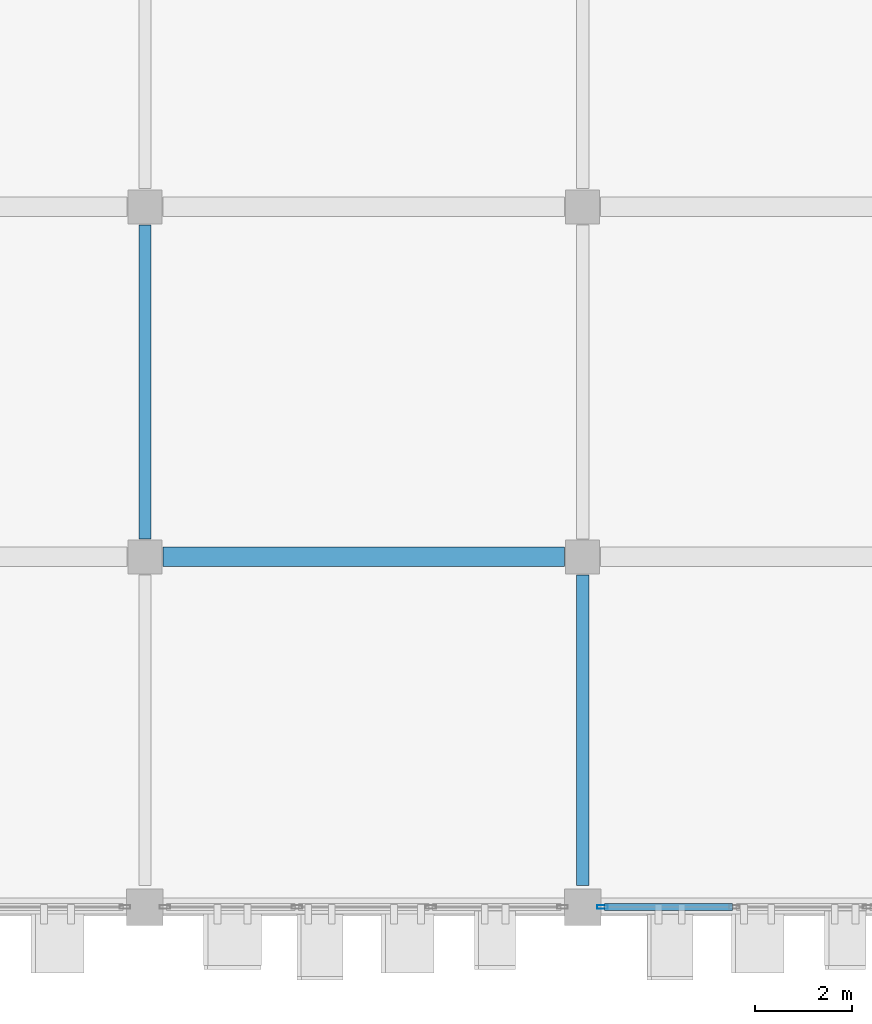
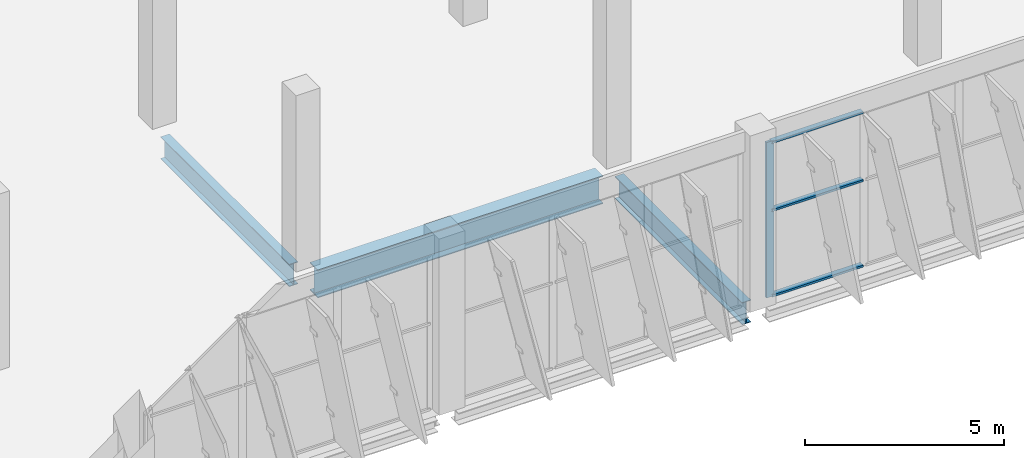
# One storey, part 51 of 189: 4 members, 3 beams, 1 element without a shape of its own.
"""IFC4 building model written with IfcOpenShell, lengths in metres."""

from ifc_helpers import new_model, si_unit, direction, frame, origin, origin_2d, place, context, subcontext, project, spatial, hollow_rectangle, i_section, extrude, material, layer, layer_set, material_profile, profile_set, type_object, element, aggregate, save


model = new_model("IFC4")

# Units and contexts
model_context = context("Model", 3, precision=1e-05, world=origin(), true_north=direction((0.0, 1.0)))
body_context = subcontext(model_context, "Body", "Model", "MODEL_VIEW")
ifc_project = project(units=[si_unit("LENGTHUNIT", "METRE"), si_unit("AREAUNIT", "SQUARE_METRE"), si_unit("VOLUMEUNIT", "CUBIC_METRE"), si_unit("PLANEANGLEUNIT", "RADIAN"), si_unit("MASSUNIT", "GRAM", prefix="KILO")], contexts=[model_context])

# Site, building, storey
site_placement = place(None, origin())
site = spatial("IfcSite", under=ifc_project, at=site_placement, CompositionType="ELEMENT")
building_placement = place(site_placement, origin())
building = spatial("IfcBuilding", under=site, at=building_placement, Name="Celestram Park Convention Centre", CompositionType="ELEMENT")
storey_placement = place(building_placement, frame((0.0, 0.0, 5.39990234375)))
storey = spatial("IfcBuildingStorey", under=building, at=storey_placement, Name="L01", CompositionType="ELEMENT", Elevation=5.39990234375)

# Curtain wall, members
ifc_material_1 = material(Name="Anodised Aluminium Alloy 6063-T6", Category="aluminium")
ifc_layer = layer(ifc_material_1, 0.179931640625)
ifc_layer_set = layer_set([ifc_layer], Name="Anodised Aluminium Alloy 6063-T6")
curtain_wall_type = type_object("IfcCurtainWallType", Name="ARC-CW-825X476", PredefinedType="NOTDEFINED", material=ifc_layer_set)
curtain_wall_placement = place(storey_placement, origin())
curtain_wall = element("IfcCurtainWall", 1, at=curtain_wall_placement, inside=storey, type_object=curtain_wall_type, Name="Unitised curtain wall CU-L01-108", PredefinedType="NOTDEFINED")
ifc_material_profile_1 = material_profile(ifc_material_1, hollow_rectangle(XDim=0.074951171875, YDim=0.219970703125, WallThickness=0.00390625, at=origin_2d()), Name="ALU75X220X4")
ifc_profile_set_1 = profile_set([ifc_material_profile_1], Name="Anodised Aluminium Alloy 6063-T6")
member_type_1 = type_object("IfcMemberType", Name="ARC-CWM-180", PredefinedType="MULLION", material=ifc_profile_set_1)
member_1_placement = place(storey_placement, frame((189.410400390625, 0.0, 0.0), z_axis=(0.0, 0.0, 1.0), x_axis=(0.0, -1.0, 0.0)))
member_1 = element("IfcMember", 2, at=member_1_placement, type_object=member_type_1, Name="CW-82X47 mullion 4", PredefinedType="MULLION", context=body_context, shape_type="SweptSolid", body=[
    extrude(hollow_rectangle(XDim=0.074951171875, YDim=0.219970703125, WallThickness=0.00390625, at=origin_2d()), origin(), (0.0, 0.0, 1.0), 4.76416015625),
])
ifc_material_profile_2 = material_profile(ifc_material_1, hollow_rectangle(XDim=0.14990234375, YDim=0.06494140625, WallThickness=0.0029296875, at=origin_2d()), Name="ALU150X65X3")
ifc_profile_set_2 = profile_set([ifc_material_profile_2], Name="Anodised Aluminium Alloy 6063-T6")
member_type_2 = type_object("IfcMemberType", Name="ARC-CWT-150", PredefinedType="USERDEFINED", material=ifc_profile_set_2)
member_2_placement = place(storey_placement, frame((192.0869140625, 0.0, 0.03271484375), z_axis=(-1.0, 0.0, 0.0), x_axis=(0.0, -1.0, 0.0)))
member_2 = element("IfcMember", 3, at=member_2_placement, type_object=member_type_2, Name="CW-82X47 transom 3.1", ObjectType="TRANSOM", PredefinedType="USERDEFINED", context=body_context, shape_type="SweptSolid", body=[
    extrude(hollow_rectangle(XDim=0.14990234375, YDim=0.06494140625, WallThickness=0.0029296875, at=origin_2d()), origin(), (0.0, 0.0, 1.0), 2.638916015625),
])
member_3_placement = place(storey_placement, frame((192.0869140625, 0.0, 2.650146484375), z_axis=(-1.0, 0.0, 0.0), x_axis=(0.0, -1.0, 0.0)))
member_3 = element("IfcMember", 4, at=member_3_placement, type_object=member_type_2, Name="CW-82X47 transom 3.2", ObjectType="TRANSOM", PredefinedType="USERDEFINED", context=body_context, shape_type="SweptSolid", body=[
    extrude(hollow_rectangle(XDim=0.14990234375, YDim=0.06494140625, WallThickness=0.0029296875, at=origin_2d()), origin(), (0.0, 0.0, 1.0), 2.638916015625),
])
member_4_placement = place(storey_placement, frame((192.0869140625, 0.0, 4.731689453125), z_axis=(-1.0, 0.0, 0.0), x_axis=(0.0, -1.0, 0.0)))
member_4 = element("IfcMember", 5, at=member_4_placement, type_object=member_type_2, Name="CW-82X47 transom 3.3", ObjectType="TRANSOM", PredefinedType="USERDEFINED", context=body_context, shape_type="SweptSolid", body=[
    extrude(hollow_rectangle(XDim=0.14990234375, YDim=0.06494140625, WallThickness=0.0029296875, at=origin_2d()), origin(), (0.0, 0.0, 1.0), 2.638916015625),
])
aggregate(curtain_wall, [member_1, member_2, member_3, member_4])

# Beams
ifc_material_2 = material(Name="Steel ASTM A992 Grade 50", Category="steel")
ifc_material_profile_3 = material_profile(ifc_material_2, i_section(OverallWidth=0.25390625, OverallDepth=0.68310546875, WebThickness=0.012451171875, FlangeThickness=0.01904296875, at=origin_2d()), Name="W27X94")
ifc_profile_set_3 = profile_set([ifc_material_profile_3], Name="Steel ASTM A992 Grade 50")
beam_type_1 = type_object("IfcBeamType", Name="STR-BM-W27X94", PredefinedType="BEAM", material=ifc_profile_set_3)
beam_1_placement = place(storey_placement, frame((180.0, 7.572998046875, -0.621337890625), z_axis=(0.0, 1.0, 0.0), x_axis=(-1.0, 0.0, 0.0)))
element("IfcBeam", 6, at=beam_1_placement, inside=storey, type_object=beam_type_1, Name="Primary Y-girder BG-L01-0437", PredefinedType="BEAM", context=body_context, shape_type="SweptSolid", body=[
    extrude(i_section(OverallWidth=0.25390625, OverallDepth=0.68310546875, WebThickness=0.012451171875, FlangeThickness=0.01904296875, at=origin_2d()), origin(), (0.0, 0.0, 1.0), 6.4541015625),
])
beam_2_placement = place(storey_placement, frame((189.0, 0.447998046875, -0.621337890625), z_axis=(0.0, 1.0, 0.0), x_axis=(-1.0, 0.0, 0.0)))
element("IfcBeam", 7, at=beam_2_placement, inside=storey, type_object=beam_type_1, Name="Primary Y-girder BG-L01-0461", PredefinedType="BEAM", context=body_context, shape_type="SweptSolid", body=[
    extrude(i_section(OverallWidth=0.25390625, OverallDepth=0.68310546875, WebThickness=0.012451171875, FlangeThickness=0.01904296875, at=origin_2d()), origin(), (0.0, 0.0, 1.0), 6.37890625),
])
ifc_material_profile_4 = material_profile(ifc_material_2, i_section(OverallWidth=0.40087890625, OverallDepth=0.85595703125, WebThickness=0.018310546875, FlangeThickness=0.029296875, at=origin_2d()), Name="W33X201")
ifc_profile_set_4 = profile_set([ifc_material_profile_4], Name="Steel ASTM A992 Grade 50")
beam_type_2 = type_object("IfcBeamType", Name="STR-BM-W33X201", PredefinedType="BEAM", material=ifc_profile_set_4)
beam_3_placement = place(storey_placement, frame((180.373046875, 7.199951171875, -0.7080078125), z_axis=(1.0, 0.0, 0.0), x_axis=(0.0, 1.0, 0.0)))
element("IfcBeam", 8, at=beam_3_placement, inside=storey, type_object=beam_type_2, Name="Primary X-girder BG-L01-0436", PredefinedType="BEAM", context=body_context, shape_type="SweptSolid", body=[
    extrude(i_section(OverallWidth=0.40087890625, OverallDepth=0.85595703125, WebThickness=0.018310546875, FlangeThickness=0.029296875, at=origin_2d()), origin(), (0.0, 0.0, 1.0), 8.25390625),
])

save(model, "model.ifc")
